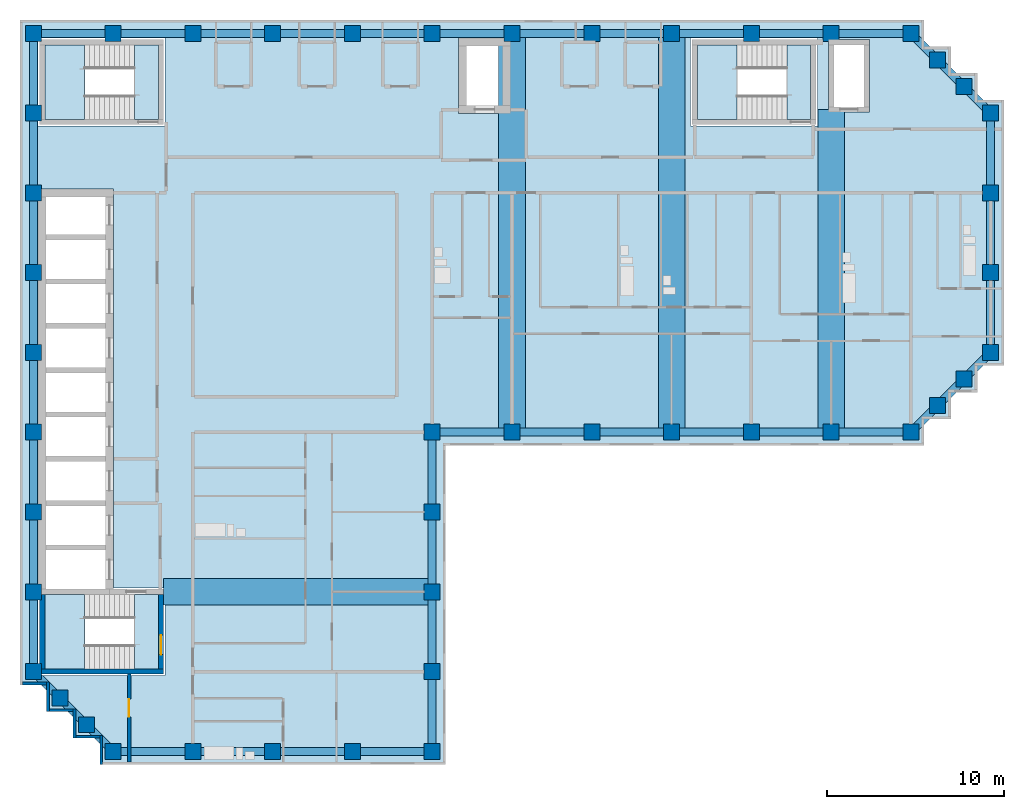
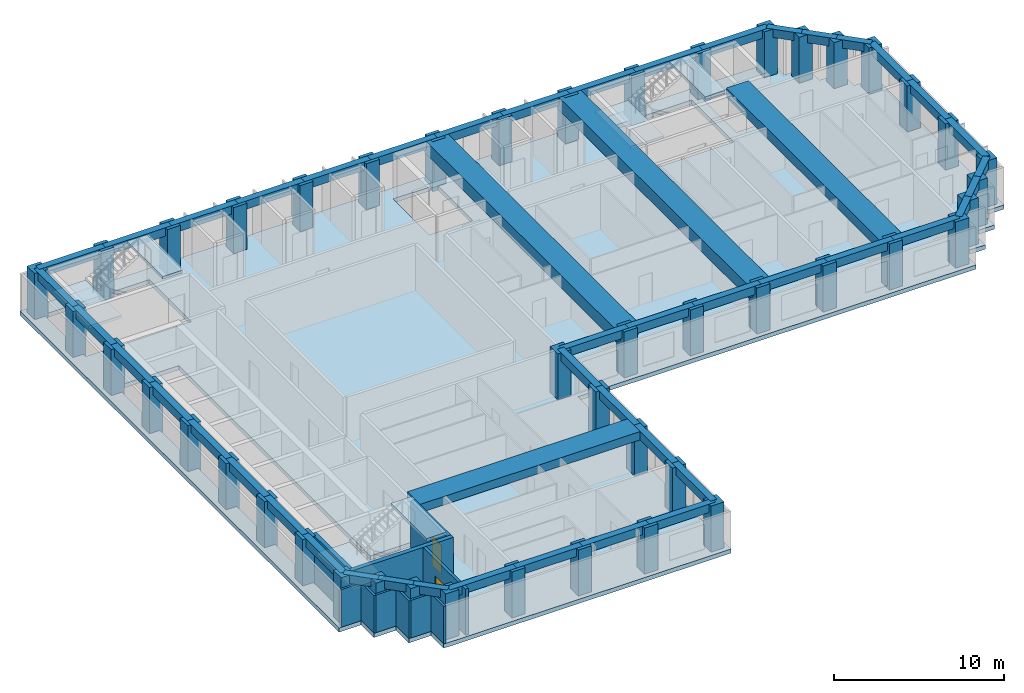
# One storey, part 1 of 9: 49 beams, 45 columns, 10 walls, 7 slabs, 2 doors, 2 openings, 3 elements without a shape of their own.
"""IFC4 building model written with IfcOpenShell, lengths in metres."""

from ifc_helpers import new_model, si_unit, direction, frame, frame_2d, origin, origin_2d, place, context, subcontext, project, spatial, polyline, rectangle, outline, extrude, material, layer, layer_set, material_profile, profile_set, type_object, element, fill, aggregate, save


model = new_model("IFC4")

# Units and contexts
model_context = context("Model", 3, precision=1e-05, world=origin(), true_north=direction((0.0, 1.0)))
body_context = subcontext(model_context, "Body", "Model", "MODEL_VIEW")
ifc_project = project(units=[si_unit("LENGTHUNIT", "METRE"), si_unit("AREAUNIT", "SQUARE_METRE"), si_unit("VOLUMEUNIT", "CUBIC_METRE"), si_unit("PLANEANGLEUNIT", "RADIAN"), si_unit("MASSUNIT", "GRAM", prefix="KILO")], contexts=[model_context])

# Site, building, storey
site_placement = place(None, origin())
site = spatial("IfcSite", under=ifc_project, at=site_placement, CompositionType="ELEMENT")
building_placement = place(site_placement, origin())
building = spatial("IfcBuilding", under=site, at=building_placement, Name="Firuza Court", CompositionType="ELEMENT")
storey_placement = place(building_placement, frame((0.0, 0.0, 218.60009765625)))
storey = spatial("IfcBuildingStorey", under=building, at=storey_placement, Name="L56", CompositionType="ELEMENT", Elevation=218.60009765625)

# Columns
ifc_material_1 = material(Name="Concrete C50/60", Category="concrete")
ifc_material_profile_1 = material_profile(ifc_material_1, rectangle(XDim=0.89990234375, YDim=0.89990234375, at=origin_2d()), Name="RC 900x900")
ifc_profile_set_1 = profile_set([ifc_material_profile_1], Name="Concrete C50/60")
column_type = type_object("IfcColumnType", Name="Tube column RC 900x900 C50/60", PredefinedType="COLUMN", material=ifc_profile_set_1)
for number, where, z_axis, x_axis, name in (
    (1, (4.5, 18.0, -0.300048828125), (0.0, 0.0, 1.0), (1.0, 0.0, 0.0), "Column C-2H L56"),
    (2, (9.0, 18.0, -0.300048828125), (0.0, 0.0, 1.0), (1.0, 0.0, 0.0), "Column C-3H L56"),
    (3, (13.5, 18.0, -0.300048828125), (0.0, 0.0, 1.0), (1.0, 0.0, 0.0), "Column C-4H L56"),
    (4, (18.0, 18.0, -0.300048828125), (0.0, 0.0, 1.0), (1.0, 0.0, 0.0), "Column C-5H L56"),
    (5, (22.5, 18.0, -0.300048828125), (0.0, 0.0, 1.0), (1.0, 0.0, 0.0), "Column C-6H L56"),
    (6, (3.0, 19.5, -0.300048828125), (0.0, 0.0, 1.0), (1.0, 0.0, 0.0), "Column C-SA1 L56"),
    (7, (1.5, 21.0, -0.300048828125), (0.0, 0.0, 1.0), (1.0, 0.0, 0.0), "Column C-SA2 L56"),
    (8, (0.0, 22.5, -0.300048828125), (0.0, 0.0, 1.0), (1.0, 0.0, 0.0), "Column C-1J L56"),
    (9, (22.5, 22.5, -0.300048828125), (0.0, 0.0, 1.0), (1.0, 0.0, 0.0), "Column C-6J L56"),
    (10, (0.0, 27.0, -0.300048828125), (0.0, 0.0, 1.0), (1.0, 0.0, 0.0), "Column C-1K L56"),
    (11, (22.5, 27.0, -0.300048828125), (0.0, 0.0, 1.0), (1.0, 0.0, 0.0), "Column C-6K L56"),
    (12, (0.0, 31.5, -0.300048828125), (0.0, 0.0, 1.0), (1.0, 0.0, 0.0), "Column C-1L L56"),
    (13, (22.5, 31.5, -0.300048828125), (0.0, 0.0, 1.0), (1.0, 0.0, 0.0), "Column C-6L L56"),
    (14, (0.0, 36.0, -0.300048828125), (0.0, 0.0, 1.0), (1.0, 0.0, 0.0), "Column C-1M L56"),
    (15, (22.5, 36.0, -0.300048828125), (0.0, 0.0, 1.0), (1.0, 0.0, 0.0), "Column C-6M L56"),
    (16, (27.0, 36.0, -0.300048828125), (0.0, 0.0, 1.0), (1.0, 0.0, 0.0), "Column C-7M L56"),
    (17, (31.5, 36.0, -0.300048828125), (0.0, 0.0, 1.0), (1.0, 0.0, 0.0), "Column C-8M L56"),
    (18, (36.0, 36.0, -0.300048828125), (0.0, 0.0, 1.0), (1.0, 0.0, 0.0), "Column C-9M L56"),
    (19, (40.5, 36.0, -0.300048828125), (0.0, 0.0, 1.0), (1.0, 0.0, 0.0), "Column C-10M L56"),
    (20, (45.0, 36.0, -0.300048828125), (0.0, 0.0, 1.0), (1.0, 0.0, 0.0), "Column C-11M L56"),
    (21, (49.5, 36.0, -0.300048828125), (0.0, 0.0, 1.0), (1.0, 0.0, 0.0), "Column C-12M L56"),
    (22, (51.0, 37.5, -0.300048828125), (0.0, 0.0, 1.0), (1.0, 0.0, 0.0), "Column C-SA3 L56"),
    (23, (52.5, 39.0, -0.300048828125), (0.0, 0.0, 1.0), (1.0, 0.0, 0.0), "Column C-SA4 L56"),
    (24, (0.0, 40.5, -0.300048828125), (0.0, 0.0, 1.0), (1.0, 0.0, 0.0), "Column C-1N L56"),
    (25, (54.0, 40.5, -0.300048828125), (0.0, 0.0, 1.0), (1.0, 0.0, 0.0), "Column C-13N L56"),
    (26, (0.0, 45.0, -0.300048828125), (0.0, 0.0, 1.0), (1.0, 0.0, 0.0), "Column C-1P L56"),
    (27, (54.0, 45.0, -0.300048828125), (0.0, 0.0, 1.0), (1.0, 0.0, 0.0), "Column C-13P L56"),
    (28, (0.0, 49.5, -0.300048828125), (0.0, 0.0, 1.0), (1.0, 0.0, 0.0), "Column C-1Q L56"),
    (29, (54.0, 49.5, -0.300048828125), (0.0, 0.0, 1.0), (1.0, 0.0, 0.0), "Column C-13Q L56"),
    (30, (0.0, 54.0, -0.300048828125), (0.0, 0.0, 1.0), (1.0, 0.0, 0.0), "Column C-1R L56"),
    (31, (54.0, 54.0, -0.300048828125), (0.0, 0.0, 1.0), (1.0, 0.0, 0.0), "Column C-13R L56"),
    (32, (52.5, 55.5, -0.300048828125), (0.0, 0.0, 1.0), (1.0, 0.0, 0.0), "Column C-SA5 L56"),
    (33, (51.0, 57.0, -0.300048828125), (0.0, 0.0, 1.0), (1.0, 0.0, 0.0), "Column C-SA6 L56"),
    (34, (0.0, 58.5, -0.300048828125), (0.0, 0.0, 1.0), (1.0, 0.0, 0.0), "Column C-1S L56"),
    (35, (4.5, 58.5, -0.300048828125), (0.0, 0.0, 1.0), (1.0, 0.0, 0.0), "Column C-2S L56"),
    (36, (9.0, 58.5, -0.300048828125), (0.0, 0.0, 1.0), (1.0, 0.0, 0.0), "Column C-3S L56"),
    (37, (13.5, 58.5, -0.300048828125), (0.0, 0.0, 1.0), (1.0, 0.0, 0.0), "Column C-4S L56"),
    (38, (18.0, 58.5, -0.300048828125), (0.0, 0.0, 1.0), (1.0, 0.0, 0.0), "Column C-5S L56"),
    (39, (22.5, 58.5, -0.300048828125), (0.0, 0.0, 1.0), (1.0, 0.0, 0.0), "Column C-6S L56"),
    (40, (27.0, 58.5, -0.300048828125), (0.0, 0.0, 1.0), (1.0, 0.0, 0.0), "Column C-7S L56"),
    (41, (31.5, 58.5, -0.300048828125), (0.0, 0.0, 1.0), (1.0, 0.0, 0.0), "Column C-8S L56"),
    (42, (36.0, 58.5, -0.300048828125), (0.0, 0.0, 1.0), (1.0, 0.0, 0.0), "Column C-9S L56"),
    (43, (40.5, 58.5, -0.300048828125), (0.0, 0.0, 1.0), (1.0, 0.0, 0.0), "Column C-10S L56"),
    (44, (45.0, 58.5, -0.300048828125), (0.0, 0.0, 1.0), (1.0, 0.0, 0.0), "Column C-11S L56"),
    (45, (49.5, 58.5, -0.300048828125), (0.0, 0.0, 1.0), (1.0, 0.0, 0.0), "Column C-12S L56"),
):
    element("IfcColumn", number, at=place(storey_placement, frame(where, z_axis=z_axis, x_axis=x_axis)), inside=storey, type_object=column_type, Name=name, PredefinedType="COLUMN", context=body_context, shape_type="SweptSolid", body=[
        extrude(rectangle(XDim=0.89990234375, YDim=0.89990234375, at=origin_2d()), origin(), (0.0, 0.0, 1.0), 3.599853515625),
    ])

# Beams
ifc_material_2 = material(Name="Concrete C40/50", Category="concrete")
ifc_material_profile_2 = material_profile(ifc_material_2, rectangle(XDim=1.5, YDim=0.60009765625, at=origin_2d()), Name="RC 1500x600")
ifc_profile_set_2 = profile_set([ifc_material_profile_2], Name="Concrete C40/50")
beam_type_1 = type_object("IfcBeamType", Name="Band beam RC 1500x600 C40/50", PredefinedType="BEAM", material=ifc_profile_set_2)
beam_1_placement = place(storey_placement, frame((22.5, 27.0, 3.0), z_axis=(-1.0, 0.0, 0.0), x_axis=(0.0, -1.0, 0.0)))
element("IfcBeam", 46, at=beam_1_placement, inside=storey, type_object=beam_type_1, Name="Band beam FB3 level L57", PredefinedType="BEAM", context=body_context, shape_type="SweptSolid", body=[
    extrude(rectangle(XDim=1.5, YDim=0.60009765625, at=origin_2d()), origin(), (0.0, 0.0, 1.0), 15.14990234375),
])
ifc_material_3 = material(Name="Concrete C40/50", Category="concrete")
ifc_material_profile_3 = material_profile(ifc_material_3, rectangle(XDim=1.5, YDim=0.699951171875, at=origin_2d()), Name="RC 1500x700")
ifc_profile_set_3 = profile_set([ifc_material_profile_3], Name="Concrete C40/50")
beam_type_2 = type_object("IfcBeamType", Name="Band beam RC 1500x700 C40/50", PredefinedType="BEAM", material=ifc_profile_set_3)
beam_2_placement = place(storey_placement, frame((45.0, 36.0, 2.949951171875), z_axis=(0.0, 1.0, 0.0), x_axis=(-1.0, 0.0, 0.0)))
element("IfcBeam", 47, at=beam_2_placement, inside=storey, type_object=beam_type_2, Name="Band beam FB1 level L57", PredefinedType="BEAM", context=body_context, shape_type="SweptSolid", body=[
    extrude(rectangle(XDim=1.5, YDim=0.699951171875, at=origin_2d()), origin(), (0.0, 0.0, 1.0), 18.199951171875),
])
ifc_material_4 = material(Name="Concrete C40/50", Category="concrete")
ifc_material_profile_4 = material_profile(ifc_material_4, rectangle(XDim=1.5, YDim=0.89990234375, at=origin_2d()), Name="RC 1500x900")
ifc_profile_set_4 = profile_set([ifc_material_profile_4], Name="Concrete C40/50")
beam_type_3 = type_object("IfcBeamType", Name="Band beam RC 1500x900 C40/50", PredefinedType="BEAM", material=ifc_profile_set_4)
for number, where, z_axis, x_axis, name in (
    (48, (27.0, 36.0, 2.849853515625), (0.0, 1.0, 0.0), (-1.0, 0.0, 0.0), "Band beam FB2 level L57"),
    (49, (36.0, 36.0, 2.849853515625), (0.0, 1.0, 0.0), (-1.0, 0.0, 0.0), "Band beam FB2 level L57"),
):
    element("IfcBeam", number, at=place(storey_placement, frame(where, z_axis=z_axis, x_axis=x_axis)), inside=storey, type_object=beam_type_3, Name=name, PredefinedType="BEAM", context=body_context, shape_type="SweptSolid", body=[
        extrude(rectangle(XDim=1.5, YDim=0.89990234375, at=origin_2d()), origin(), (0.0, 0.0, 1.0), 22.5),
    ])
ifc_material_5 = material(Name="Concrete C40/50", Category="concrete")
ifc_material_profile_5 = material_profile(ifc_material_5, rectangle(XDim=0.449951171875, YDim=0.60009765625, at=origin_2d()), Name="RC 450x600")
ifc_profile_set_5 = profile_set([ifc_material_profile_5], Name="Concrete C40/50")
beam_type_4 = type_object("IfcBeamType", Name="Spandrel beam RC 450x600 C40/50", PredefinedType="BEAM", material=ifc_profile_set_5)
beam_3_placement = place(storey_placement, frame((0.0, 22.5, 3.0), z_axis=(0.707106781187, -0.707106781187, 0.0), x_axis=(0.707106781187, 0.707106781187, 0.0)))
element("IfcBeam", 50, at=beam_3_placement, inside=storey, type_object=beam_type_4, Name="Spandrel beam SP15 level L57", PredefinedType="BEAM", context=body_context, shape_type="SweptSolid", body=[
    extrude(rectangle(XDim=0.449951171875, YDim=0.60009765625, at=origin_2d()), origin(), (0.0, 0.0, 1.0), 2.121337890625),
])
for number, where, z_axis, x_axis, name in (
    (51, (0.0, 27.0, 3.0), (0.0, -1.0, 0.0), (1.0, 0.0, 0.0), "Spandrel beam SP15 level L57"),
    (52, (0.0, 31.5, 3.0), (0.0, -1.0, 0.0), (1.0, 0.0, 0.0), "Spandrel beam SP15 level L57"),
    (53, (0.0, 36.0, 3.0), (0.0, -1.0, 0.0), (1.0, 0.0, 0.0), "Spandrel beam SP15 level L57"),
    (54, (0.0, 40.5, 3.0), (0.0, -1.0, 0.0), (1.0, 0.0, 0.0), "Spandrel beam SP15 level L57"),
    (55, (0.0, 45.0, 3.0), (0.0, -1.0, 0.0), (1.0, 0.0, 0.0), "Spandrel beam SP15 level L57"),
    (56, (0.0, 49.5, 3.0), (0.0, -1.0, 0.0), (1.0, 0.0, 0.0), "Spandrel beam SP15 level L57"),
    (57, (0.0, 54.0, 3.0), (0.0, -1.0, 0.0), (1.0, 0.0, 0.0), "Spandrel beam SP15 level L57"),
    (58, (0.0, 58.5, 3.0), (0.0, -1.0, 0.0), (1.0, 0.0, 0.0), "Spandrel beam SP15 level L57"),
):
    element("IfcBeam", number, at=place(storey_placement, frame(where, z_axis=z_axis, x_axis=x_axis)), inside=storey, type_object=beam_type_4, Name=name, PredefinedType="BEAM", context=body_context, shape_type="SweptSolid", body=[
        extrude(rectangle(XDim=0.449951171875, YDim=0.60009765625, at=origin_2d()), origin(), (0.0, 0.0, 1.0), 4.5),
    ])
for number, where, z_axis, x_axis, name in (
    (59, (1.5, 21.0, 3.0), (0.707106781187, -0.707106781187, 0.0), (0.707106781187, 0.707106781187, 0.0), "Spandrel beam SP15 level L57"),
    (60, (3.0, 19.5, 3.0), (0.707106781187, -0.707106781187, 0.0), (0.707106781187, 0.707106781187, 0.0), "Spandrel beam SP15 level L57"),
):
    element("IfcBeam", number, at=place(storey_placement, frame(where, z_axis=z_axis, x_axis=x_axis)), inside=storey, type_object=beam_type_4, Name=name, PredefinedType="BEAM", context=body_context, shape_type="SweptSolid", body=[
        extrude(rectangle(XDim=0.449951171875, YDim=0.60009765625, at=origin_2d()), origin(), (0.0, 0.0, 1.0), 2.121337890625),
    ])
for number, where, z_axis, x_axis, name in (
    (61, (4.5, 18.0, 3.0), (1.0, 0.0, 0.0), (0.0, 1.0, 0.0), "Spandrel beam SP15 level L57"),
    (62, (4.5, 58.5, 3.0), (-1.0, 0.0, 0.0), (0.0, -1.0, 0.0), "Spandrel beam SP15 level L57"),
    (63, (9.0, 18.0, 3.0), (1.0, 0.0, 0.0), (0.0, 1.0, 0.0), "Spandrel beam SP15 level L57"),
    (64, (9.0, 58.5, 3.0), (-1.0, 0.0, 0.0), (0.0, -1.0, 0.0), "Spandrel beam SP15 level L57"),
    (65, (13.5, 18.0, 3.0), (1.0, 0.0, 0.0), (0.0, 1.0, 0.0), "Spandrel beam SP15 level L57"),
    (66, (13.5, 58.5, 3.0), (-1.0, 0.0, 0.0), (0.0, -1.0, 0.0), "Spandrel beam SP15 level L57"),
    (67, (18.0, 18.0, 3.0), (1.0, 0.0, 0.0), (0.0, 1.0, 0.0), "Spandrel beam SP15 level L57"),
    (68, (18.0, 58.5, 3.0), (-1.0, 0.0, 0.0), (0.0, -1.0, 0.0), "Spandrel beam SP15 level L57"),
    (69, (22.5, 18.0, 3.0), (0.0, 1.0, 0.0), (-1.0, 0.0, 0.0), "Spandrel beam SP15 level L57"),
    (70, (22.5, 22.5, 3.0), (0.0, 1.0, 0.0), (-1.0, 0.0, 0.0), "Spandrel beam SP15 level L57"),
    (71, (22.5, 27.0, 3.0), (0.0, 1.0, 0.0), (-1.0, 0.0, 0.0), "Spandrel beam SP15 level L57"),
    (72, (22.5, 31.5, 3.0), (0.0, 1.0, 0.0), (-1.0, 0.0, 0.0), "Spandrel beam SP15 level L57"),
    (73, (22.5, 36.0, 3.0), (1.0, 0.0, 0.0), (0.0, 1.0, 0.0), "Spandrel beam SP15 level L57"),
    (74, (22.5, 58.5, 3.0), (-1.0, 0.0, 0.0), (0.0, -1.0, 0.0), "Spandrel beam SP15 level L57"),
    (75, (27.0, 36.0, 3.0), (1.0, 0.0, 0.0), (0.0, 1.0, 0.0), "Spandrel beam SP15 level L57"),
    (76, (27.0, 58.5, 3.0), (-1.0, 0.0, 0.0), (0.0, -1.0, 0.0), "Spandrel beam SP15 level L57"),
    (77, (31.5, 36.0, 3.0), (1.0, 0.0, 0.0), (0.0, 1.0, 0.0), "Spandrel beam SP15 level L57"),
    (78, (31.5, 58.5, 3.0), (-1.0, 0.0, 0.0), (0.0, -1.0, 0.0), "Spandrel beam SP15 level L57"),
    (79, (36.0, 36.0, 3.0), (1.0, 0.0, 0.0), (0.0, 1.0, 0.0), "Spandrel beam SP15 level L57"),
    (80, (36.0, 58.5, 3.0), (-1.0, 0.0, 0.0), (0.0, -1.0, 0.0), "Spandrel beam SP15 level L57"),
    (81, (40.5, 36.0, 3.0), (1.0, 0.0, 0.0), (0.0, 1.0, 0.0), "Spandrel beam SP15 level L57"),
    (82, (40.5, 58.5, 3.0), (-1.0, 0.0, 0.0), (0.0, -1.0, 0.0), "Spandrel beam SP15 level L57"),
    (83, (45.0, 36.0, 3.0), (1.0, 0.0, 0.0), (0.0, 1.0, 0.0), "Spandrel beam SP15 level L57"),
    (84, (45.0, 58.5, 3.0), (-1.0, 0.0, 0.0), (0.0, -1.0, 0.0), "Spandrel beam SP15 level L57"),
):
    element("IfcBeam", number, at=place(storey_placement, frame(where, z_axis=z_axis, x_axis=x_axis)), inside=storey, type_object=beam_type_4, Name=name, PredefinedType="BEAM", context=body_context, shape_type="SweptSolid", body=[
        extrude(rectangle(XDim=0.449951171875, YDim=0.60009765625, at=origin_2d()), origin(), (0.0, 0.0, 1.0), 4.5),
    ])
beam_4_placement = place(storey_placement, frame((49.5, 36.0, 3.0), z_axis=(0.707106781187, 0.707106781187, 0.0), x_axis=(-0.707106781187, 0.707106781187, 0.0)))
element("IfcBeam", 85, at=beam_4_placement, inside=storey, type_object=beam_type_4, Name="Spandrel beam SP15 level L57", PredefinedType="BEAM", context=body_context, shape_type="SweptSolid", body=[
    extrude(rectangle(XDim=0.449951171875, YDim=0.60009765625, at=origin_2d()), origin(), (0.0, 0.0, 1.0), 2.121337890625),
])
beam_5_placement = place(storey_placement, frame((49.5, 58.5, 3.0), z_axis=(-1.0, 0.0, 0.0), x_axis=(0.0, -1.0, 0.0)))
element("IfcBeam", 86, at=beam_5_placement, inside=storey, type_object=beam_type_4, Name="Spandrel beam SP15 level L57", PredefinedType="BEAM", context=body_context, shape_type="SweptSolid", body=[
    extrude(rectangle(XDim=0.449951171875, YDim=0.60009765625, at=origin_2d()), origin(), (0.0, 0.0, 1.0), 4.5),
])
for number, where, z_axis, x_axis, name in (
    (87, (51.0, 37.5, 3.0), (0.707106781187, 0.707106781187, 0.0), (-0.707106781187, 0.707106781187, 0.0), "Spandrel beam SP15 level L57"),
    (88, (51.0, 57.0, 3.0), (-0.707106781187, 0.707106781187, 0.0), (-0.707106781187, -0.707106781187, 0.0), "Spandrel beam SP15 level L57"),
    (89, (52.5, 39.0, 3.0), (0.707106781187, 0.707106781187, 0.0), (-0.707106781187, 0.707106781187, 0.0), "Spandrel beam SP15 level L57"),
    (90, (52.5, 55.5, 3.0), (-0.707106781187, 0.707106781187, 0.0), (-0.707106781187, -0.707106781187, 0.0), "Spandrel beam SP15 level L57"),
):
    element("IfcBeam", number, at=place(storey_placement, frame(where, z_axis=z_axis, x_axis=x_axis)), inside=storey, type_object=beam_type_4, Name=name, PredefinedType="BEAM", context=body_context, shape_type="SweptSolid", body=[
        extrude(rectangle(XDim=0.449951171875, YDim=0.60009765625, at=origin_2d()), origin(), (0.0, 0.0, 1.0), 2.121337890625),
    ])
for number, where, z_axis, x_axis, name in (
    (91, (54.0, 40.5, 3.0), (0.0, 1.0, 0.0), (-1.0, 0.0, 0.0), "Spandrel beam SP15 level L57"),
    (92, (54.0, 45.0, 3.0), (0.0, 1.0, 0.0), (-1.0, 0.0, 0.0), "Spandrel beam SP15 level L57"),
    (93, (54.0, 49.5, 3.0), (0.0, 1.0, 0.0), (-1.0, 0.0, 0.0), "Spandrel beam SP15 level L57"),
):
    element("IfcBeam", number, at=place(storey_placement, frame(where, z_axis=z_axis, x_axis=x_axis)), inside=storey, type_object=beam_type_4, Name=name, PredefinedType="BEAM", context=body_context, shape_type="SweptSolid", body=[
        extrude(rectangle(XDim=0.449951171875, YDim=0.60009765625, at=origin_2d()), origin(), (0.0, 0.0, 1.0), 4.5),
    ])
beam_6_placement = place(storey_placement, frame((54.0, 54.0, 3.0), z_axis=(-0.707106781187, 0.707106781187, 0.0), x_axis=(-0.707106781187, -0.707106781187, 0.0)))
element("IfcBeam", 94, at=beam_6_placement, inside=storey, type_object=beam_type_4, Name="Spandrel beam SP15 level L57", PredefinedType="BEAM", context=body_context, shape_type="SweptSolid", body=[
    extrude(rectangle(XDim=0.449951171875, YDim=0.60009765625, at=origin_2d()), origin(), (0.0, 0.0, 1.0), 2.121337890625),
])

# Slab
ifc_material_6 = material(Name="Concrete C40/50", Category="concrete")
ifc_layer_1 = layer(ifc_material_6, 0.300048828125)
ifc_layer_set_1 = layer_set([ifc_layer_1], Name="Concrete C40/50")
slab_type_1 = type_object("IfcSlabType", Name="Floor slab 300 C40/50", PredefinedType="FLOOR", material=ifc_layer_set_1)
slab_1_placement = place(storey_placement, frame((0.0, 0.0, -0.300048828125)))
element("IfcSlab", 95, at=slab_1_placement, inside=storey, type_object=slab_type_1, Name="Floor slab L56", PredefinedType="FLOOR", context=body_context, shape_type="SweptSolid", body=[
    extrude(outline(polyline([(-0.75, 59.25), (50.25, 59.25), (50.25, 57.75), (51.75, 57.75), (51.75, 56.25), (53.25, 56.25), (53.25, 54.75), (54.75, 54.75), (54.75, 39.75), (53.25, 39.75), (53.25, 38.25), (51.75, 38.25), (51.75, 36.75), (50.25, 36.75), (50.25, 35.25), (23.25, 35.25), (23.25, 17.25), (3.75, 17.25), (3.75, 18.75), (2.25, 18.75), (2.25, 20.25), (0.75, 20.25), (0.75, 21.75), (-0.75, 21.75), (-0.75, 59.25)]), holes=[polyline([(0.27490234375, 34.27490234375), (0.27490234375, 32.22509765625), (0.27490234375, 31.77490234375), (0.27490234375, 29.72509765625), (0.27490234375, 29.27490234375), (0.27490234375, 27.22509765625), (0.27490234375, 26.77490234375), (0.27490234375, 22.27490234375), (7.425048828125, 22.27490234375), (7.425048828125, 27.22509765625), (4.52490234375, 27.22509765625), (4.52490234375, 29.27490234375), (4.52490234375, 29.72509765625), (4.52490234375, 31.77490234375), (4.52490234375, 32.22509765625), (4.52490234375, 34.27490234375), (4.52490234375, 34.72509765625), (4.52490234375, 36.77490234375), (4.52490234375, 37.22509765625), (4.52490234375, 39.27490234375), (4.52490234375, 39.72509765625), (4.52490234375, 41.77490234375), (4.52490234375, 42.22509765625), (4.52490234375, 44.27490234375), (4.52490234375, 44.72509765625), (4.52490234375, 46.77490234375), (4.52490234375, 47.22509765625), (4.52490234375, 49.72509765625), (0.27490234375, 49.72509765625), (0.27490234375, 47.22509765625), (0.27490234375, 46.77490234375), (0.27490234375, 44.72509765625), (0.27490234375, 44.27490234375), (0.27490234375, 42.22509765625), (0.27490234375, 41.77490234375), (0.27490234375, 39.72509765625), (0.27490234375, 39.27490234375), (0.27490234375, 37.22509765625), (0.27490234375, 36.77490234375), (0.27490234375, 34.72509765625), (0.27490234375, 34.27490234375)]), polyline([(7.425048828125, 58.22509765625), (0.27490234375, 58.22509765625), (0.27490234375, 53.27490234375), (7.425048828125, 53.27490234375), (7.425048828125, 58.22509765625)]), polyline([(44.22509765625, 58.22509765625), (37.074951171875, 58.22509765625), (37.074951171875, 53.27490234375), (44.22509765625, 53.27490234375), (44.22509765625, 58.22509765625)]), polyline([(26.925048828125, 58.22509765625), (23.97509765625, 58.22509765625), (23.97509765625, 53.97509765625), (26.925048828125, 53.97509765625), (26.925048828125, 58.22509765625)]), polyline([(47.14990234375, 58.14990234375), (44.85009765625, 58.14990234375), (44.85009765625, 54.050048828125), (47.14990234375, 54.050048828125), (47.14990234375, 58.14990234375)])]), origin(), (0.0, 0.0, 1.0), 0.300048828125),
])

# Stair, slabs
ifc_material_7 = material(Name="Concrete C40/50 precast", Category="concrete")
stair_type = type_object("IfcStairType", Name="Stair 1350 x 3600 2 flights", PredefinedType="HALF_TURN_STAIR", material=ifc_material_7)
stair_1_placement = place(storey_placement, origin())
stair_1 = element("IfcStair", 96, at=stair_1_placement, inside=storey, type_object=stair_type, Name="Stair 1 L56", PredefinedType="HALF_TURN_STAIR")
ifc_material_8 = material(Name="Concrete C40/50 precast", Category="concrete")
ifc_layer_2 = layer(ifc_material_8, 0.199951171875)
ifc_layer_set_2 = layer_set([ifc_layer_2], Name="Concrete C40/50 precast")
slab_type_2 = type_object("IfcSlabType", Name="Stair landing 200", PredefinedType="LANDING", material=ifc_layer_set_2)
slab_2_placement = place(storey_placement, frame((0.0, 0.0, 1.599853515625)))
slab_2 = element("IfcSlab", 97, at=slab_2_placement, type_object=slab_type_2, Name="S1 landing 1", PredefinedType="LANDING", context=body_context, shape_type="SweptSolid", body=[
    extrude(outline(polyline([(39.699951171875, 53.64990234375), (39.699951171875, 57.85009765625), (37.449951171875, 57.85009765625), (37.449951171875, 53.64990234375), (39.699951171875, 53.64990234375)])), origin(), (0.0, 0.0, 1.0), 0.199951171875),
])
slab_3_placement = place(storey_placement, frame((0.0, 0.0, 3.39990234375)))
slab_3 = element("IfcSlab", 98, at=slab_3_placement, type_object=slab_type_2, Name="S1 landing 2", PredefinedType="LANDING", context=body_context, shape_type="SweptSolid", body=[
    extrude(outline(polyline([(43.85009765625, 53.64990234375), (43.85009765625, 57.85009765625), (42.5, 57.85009765625), (42.5, 53.64990234375), (43.85009765625, 53.64990234375)])), origin(), (0.0, 0.0, 1.0), 0.199951171875),
])
aggregate(stair_1, [slab_2, slab_3])

stair_2_placement = place(storey_placement, origin())
stair_2 = element("IfcStair", 99, at=stair_2_placement, inside=storey, type_object=stair_type, Name="Stair 2 L56", PredefinedType="HALF_TURN_STAIR")
slab_4_placement = place(storey_placement, frame((0.0, 0.0, 1.599853515625)))
slab_4 = element("IfcSlab", 100, at=slab_4_placement, type_object=slab_type_2, Name="S2 landing 1", PredefinedType="LANDING", context=body_context, shape_type="SweptSolid", body=[
    extrude(outline(polyline([(2.89990234375, 22.64990234375), (2.89990234375, 26.85009765625), (0.64990234375, 26.85009765625), (0.64990234375, 22.64990234375), (2.89990234375, 22.64990234375)])), origin(), (0.0, 0.0, 1.0), 0.199951171875),
])
slab_5_placement = place(storey_placement, frame((0.0, 0.0, 3.39990234375)))
slab_5 = element("IfcSlab", 101, at=slab_5_placement, type_object=slab_type_2, Name="S2 landing 2", PredefinedType="LANDING", context=body_context, shape_type="SweptSolid", body=[
    extrude(outline(polyline([(7.050048828125, 22.64990234375), (7.050048828125, 26.85009765625), (5.699951171875, 26.85009765625), (5.699951171875, 22.64990234375), (7.050048828125, 22.64990234375)])), origin(), (0.0, 0.0, 1.0), 0.199951171875),
])
aggregate(stair_2, [slab_4, slab_5])

stair_3_placement = place(storey_placement, origin())
stair_3 = element("IfcStair", 102, at=stair_3_placement, inside=storey, type_object=stair_type, Name="Stair 3 L56", PredefinedType="HALF_TURN_STAIR")
slab_6_placement = place(storey_placement, frame((0.0, 0.0, 1.599853515625)))
slab_6 = element("IfcSlab", 103, at=slab_6_placement, type_object=slab_type_2, Name="S3 landing 1", PredefinedType="LANDING", context=body_context, shape_type="SweptSolid", body=[
    extrude(outline(polyline([(2.89990234375, 53.64990234375), (2.89990234375, 57.85009765625), (0.64990234375, 57.85009765625), (0.64990234375, 53.64990234375), (2.89990234375, 53.64990234375)])), origin(), (0.0, 0.0, 1.0), 0.199951171875),
])
slab_7_placement = place(storey_placement, frame((0.0, 0.0, 3.39990234375)))
slab_7 = element("IfcSlab", 104, at=slab_7_placement, type_object=slab_type_2, Name="S3 landing 2", PredefinedType="LANDING", context=body_context, shape_type="SweptSolid", body=[
    extrude(outline(polyline([(7.050048828125, 53.64990234375), (7.050048828125, 57.85009765625), (5.699951171875, 57.85009765625), (5.699951171875, 53.64990234375), (7.050048828125, 53.64990234375)])), origin(), (0.0, 0.0, 1.0), 0.199951171875),
])
aggregate(stair_3, [slab_6, slab_7])

# Walls
ifc_material_9 = material(Name="Concrete C50/60", Category="concrete")
ifc_layer_3 = layer(ifc_material_9, 0.300048828125)
ifc_layer_set_3 = layer_set([ifc_layer_3], Name="Concrete C50/60")
wall_type_1 = type_object("IfcWallType", Name="Core wall 300 C50/60", PredefinedType="SHEAR", material=ifc_layer_set_3)
wall_1_placement = place(storey_placement, frame((0.35009765625, 22.5, -0.300048828125), z_axis=(0.0, 0.0, 1.0), x_axis=(1.0, 0.0, 0.0)))
element("IfcWall", 105, at=wall_1_placement, inside=storey, type_object=wall_type_1, Name="Core wall stair L56", PredefinedType="SHEAR", context=body_context, shape_type="SweptSolid", body=[
    extrude(rectangle(XDim=7.0, YDim=0.300048828125, at=frame_2d((3.5, 0.0))), origin(), (0.0, 0.0, 1.0), 3.599853515625),
])
wall_2_placement = place(storey_placement, frame((0.5, 22.64990234375, -0.300048828125), z_axis=(0.0, 0.0, 1.0), x_axis=(0.0, 1.0, 0.0)))
element("IfcWall", 106, at=wall_2_placement, inside=storey, type_object=wall_type_1, Name="Core wall stair L56", PredefinedType="SHEAR", context=body_context, shape_type="SweptSolid", body=[
    extrude(rectangle(XDim=4.2001953125, YDim=0.300048828125, at=frame_2d((2.10009765625, 0.0))), origin(), (0.0, 0.0, 1.0), 3.599853515625),
])

# Wall, opening, door
wall_3_placement = place(storey_placement, frame((7.199951171875, 22.64990234375, -0.300048828125), z_axis=(0.0, 0.0, 1.0), x_axis=(0.0, 1.0, 0.0)))
wall_3 = element("IfcWall", 107, at=wall_3_placement, inside=storey, type_object=wall_type_1, Name="Core wall stair L56", PredefinedType="SHEAR", context=body_context, shape_type="SweptSolid", body=[
    extrude(rectangle(XDim=4.2001953125, YDim=0.300048828125, at=frame_2d((2.10009765625, 0.0))), origin(), (0.0, 0.0, 1.0), 3.599853515625),
])
opening_1_placement = place(wall_3_placement, frame((0.800048828125, 0.0, 0.300048828125)))
opening_1 = element("IfcOpeningElement", 108, at=opening_1_placement, cuts=wall_3, Name="Opening D56011", PredefinedType="OPENING", context=body_context, shape_type="SweptSolid", body=[
    extrude(rectangle(XDim=1.10009765625, YDim=2.10009765625, at=frame_2d((0.550048828125, 1.050048828125))), frame((0.0, 0.162109375, 0.0), z_axis=(0.0, -1.0, 0.0), x_axis=(1.0, 0.0, 0.0)), (0.0, 0.0, 1.0), 0.323974609375),
])
ifc_material_10 = material(Name="Timber door leaf in hardwood frame", Category="wood")
door_type_1 = type_object("IfcDoorType", Name="Stair door 1100", OperationType="SINGLE_SWING_LEFT", PredefinedType="DOOR", material=ifc_material_10)
door_1_placement = place(opening_1_placement, origin())
door_1 = element("IfcDoor", 109, at=door_1_placement, inside=storey, type_object=door_type_1, Name="Stair door S2", OperationType="SINGLE_SWING_LEFT", OverallHeight=2.10009765625, OverallWidth=1.10009765625, PredefinedType="DOOR", context=body_context, shape_type="SweptSolid", body=[
    extrude(rectangle(XDim=1.10009765625, YDim=2.10009765625, at=frame_2d((0.550048828125, 1.050048828125))), frame((0.0, 0.02490234375, 0.0), z_axis=(0.0, -1.0, 0.0), x_axis=(1.0, 0.0, 0.0)), (0.0, 0.0, 1.0), 0.050048828125),
])
fill(opening_1, door_1)

ifc_material_11 = material(Name="Blockwork, plastered both sides", Category="masonry")
ifc_layer_4 = layer(ifc_material_11, 0.199951171875)
ifc_layer_set_4 = layer_set([ifc_layer_4], Name="Blockwork, plastered both sides")
wall_type_2 = type_object("IfcWallType", Name="Corridor wall 200", PredefinedType="PARTITIONING", material=ifc_layer_set_4)
wall_4_placement = place(storey_placement, frame((5.39990234375, 17.39990234375, 0.0), z_axis=(0.0, 0.0, 1.0), x_axis=(0.0, 1.0, 0.0)))
wall_4 = element("IfcWall", 110, at=wall_4_placement, inside=storey, type_object=wall_type_2, Name="Corridor wall 200 L56", PredefinedType="PARTITIONING", context=body_context, shape_type="SweptSolid", body=[
    extrude(rectangle(XDim=4.9501953125, YDim=0.199951171875, at=frame_2d((2.47509765625, 0.0))), origin(), (0.0, 0.0, 1.0), 3.2998046875),
])
opening_2_placement = place(wall_4_placement, frame((2.550048828125, 0.0, 0.0)))
opening_2 = element("IfcOpeningElement", 111, at=opening_2_placement, cuts=wall_4, Name="Opening D56013", PredefinedType="OPENING", context=body_context, shape_type="SweptSolid", body=[
    extrude(rectangle(XDim=1.0, YDim=2.10009765625, at=frame_2d((0.5, 1.050048828125))), frame((0.0, 0.11181640625, 0.0), z_axis=(0.0, -1.0, 0.0), x_axis=(1.0, 0.0, 0.0)), (0.0, 0.0, 1.0), 0.223876953125),
])
ifc_material_12 = material(Name="Timber door leaf in hardwood frame", Category="wood")
door_type_2 = type_object("IfcDoorType", Name="Store door 1000", OperationType="SINGLE_SWING_LEFT", PredefinedType="DOOR", material=ifc_material_12)
door_2_placement = place(opening_2_placement, origin())
door_2 = element("IfcDoor", 112, at=door_2_placement, inside=storey, type_object=door_type_2, Name="Cleaner's store door", OperationType="SINGLE_SWING_RIGHT", OverallHeight=2.10009765625, OverallWidth=1.0, PredefinedType="DOOR", context=body_context, shape_type="SweptSolid", body=[
    extrude(rectangle(XDim=1.0, YDim=2.10009765625, at=frame_2d((0.5, 1.050048828125))), frame((0.0, 0.02490234375, 0.0), z_axis=(0.0, -1.0, 0.0), x_axis=(1.0, 0.0, 0.0)), (0.0, 0.0, 1.0), 0.050048828125),
])
fill(opening_2, door_2)

# Walls
ifc_material_13 = material(Name="Ceramic tile", Category="ceramic")
ifc_layer_5 = layer(ifc_material_13, 0.02001953125)
ifc_material_14 = material(Name="Mineral wool insulation", Category="insulation")
ifc_layer_6 = layer(ifc_material_14, 0.050048828125)
ifc_layer_7 = layer(ifc_material_8, 0.080078125)
ifc_layer_set_5 = layer_set([ifc_layer_5, ifc_layer_6, ifc_layer_7], Name="Concrete C40/50 precast")
wall_type_3 = type_object("IfcWallType", Name="Precast cladding wall with turquoise TILE PANEL face 150", PredefinedType="STANDARD", material=ifc_layer_set_5)
wall_5_placement = place(storey_placement, frame((-0.60009765625, 21.824951171875, 0.0), z_axis=(0.0, 0.0, 1.0), x_axis=(1.0, 0.0, 0.0)))
element("IfcWall", 113, at=wall_5_placement, inside=storey, type_object=wall_type_3, Name="Facade wall L56 S", PredefinedType="STANDARD", context=body_context, shape_type="SweptSolid", body=[
    extrude(rectangle(XDim=1.35009765625, YDim=0.14990234375, at=frame_2d((0.675048828125, 0.0))), origin(), (0.0, 0.0, 1.0), 2.699951171875),
])
wall_6_placement = place(storey_placement, frame((0.824951171875, 21.89990234375, 0.0), z_axis=(0.0, 0.0, 1.0), x_axis=(0.0, -1.0, 0.0)))
element("IfcWall", 114, at=wall_6_placement, inside=storey, type_object=wall_type_3, Name="Facade wall L56 W", PredefinedType="STANDARD", context=body_context, shape_type="SweptSolid", body=[
    extrude(rectangle(XDim=1.64990234375, YDim=0.14990234375, at=frame_2d((0.824951171875, 0.0))), origin(), (0.0, 0.0, 1.0), 2.699951171875),
])
wall_7_placement = place(storey_placement, frame((0.89990234375, 20.324951171875, 0.0), z_axis=(0.0, 0.0, 1.0), x_axis=(1.0, 0.0, 0.0)))
element("IfcWall", 115, at=wall_7_placement, inside=storey, type_object=wall_type_3, Name="Facade wall L56 S", PredefinedType="STANDARD", context=body_context, shape_type="SweptSolid", body=[
    extrude(rectangle(XDim=1.35009765625, YDim=0.14990234375, at=frame_2d((0.675048828125, 0.0))), origin(), (0.0, 0.0, 1.0), 2.699951171875),
])
wall_8_placement = place(storey_placement, frame((2.324951171875, 20.39990234375, 0.0), z_axis=(0.0, 0.0, 1.0), x_axis=(0.0, -1.0, 0.0)))
element("IfcWall", 116, at=wall_8_placement, inside=storey, type_object=wall_type_3, Name="Facade wall L56 W", PredefinedType="STANDARD", context=body_context, shape_type="SweptSolid", body=[
    extrude(rectangle(XDim=1.64990234375, YDim=0.14990234375, at=frame_2d((0.824951171875, 0.0))), origin(), (0.0, 0.0, 1.0), 2.699951171875),
])
wall_9_placement = place(storey_placement, frame((2.39990234375, 18.824951171875, 0.0), z_axis=(0.0, 0.0, 1.0), x_axis=(1.0, 0.0, 0.0)))
element("IfcWall", 117, at=wall_9_placement, inside=storey, type_object=wall_type_3, Name="Facade wall L56 S", PredefinedType="STANDARD", context=body_context, shape_type="SweptSolid", body=[
    extrude(rectangle(XDim=1.35009765625, YDim=0.14990234375, at=frame_2d((0.675048828125, 0.0))), origin(), (0.0, 0.0, 1.0), 2.699951171875),
])
wall_10_placement = place(storey_placement, frame((3.824951171875, 18.89990234375, 0.0), z_axis=(0.0, 0.0, 1.0), x_axis=(0.0, -1.0, 0.0)))
element("IfcWall", 118, at=wall_10_placement, inside=storey, type_object=wall_type_3, Name="Facade wall L56 W", PredefinedType="STANDARD", context=body_context, shape_type="SweptSolid", body=[
    extrude(rectangle(XDim=1.64990234375, YDim=0.14990234375, at=frame_2d((0.824951171875, 0.0))), origin(), (0.0, 0.0, 1.0), 2.699951171875),
])

save(model, "model.ifc")
